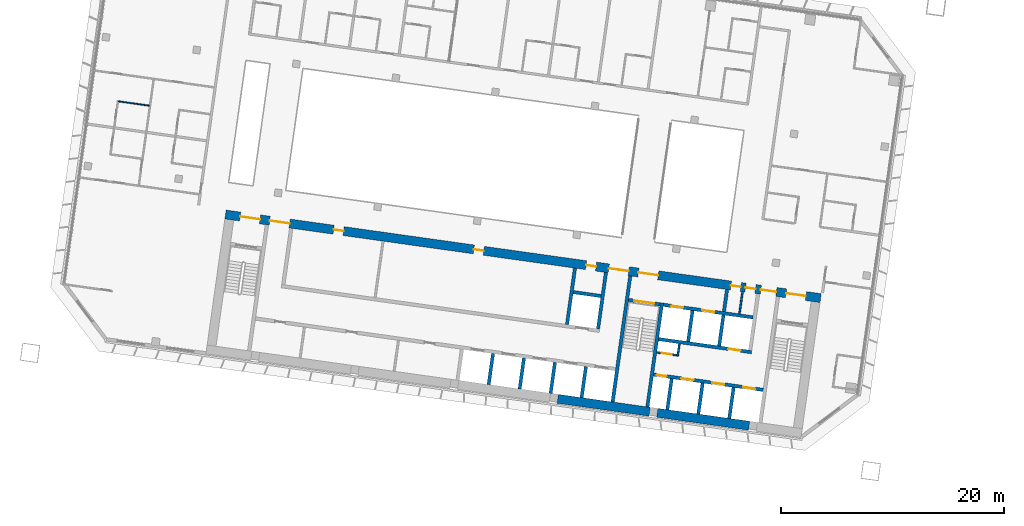
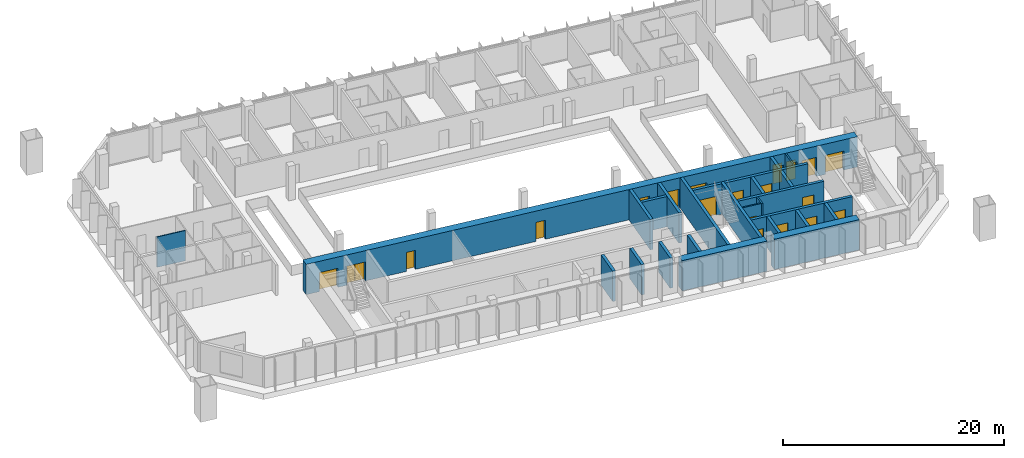
# One storey, part 15 of 26: 26 walls, 20 doors, 20 openings.
"""IFC4 building model written with IfcOpenShell, lengths in metres."""

from ifc_helpers import new_model, si_unit, direction, frame, frame_2d, origin, place, context, subcontext, project, spatial, rectangle, extrude, material, layer, layer_set, type_object, element, fill, save


model = new_model("IFC4")

# Units and contexts
model_context = context("Model", 3, precision=1e-05, world=origin(), true_north=direction((0.0, 1.0)))
body_context = subcontext(model_context, "Body", "Model", "MODEL_VIEW")
ifc_project = project(units=[si_unit("LENGTHUNIT", "METRE"), si_unit("AREAUNIT", "SQUARE_METRE"), si_unit("VOLUMEUNIT", "CUBIC_METRE"), si_unit("PLANEANGLEUNIT", "RADIAN"), si_unit("MASSUNIT", "GRAM", prefix="KILO")], contexts=[model_context])

# Site, building, storey
site_placement = place(None, origin())
site = spatial("IfcSite", under=ifc_project, at=site_placement, CompositionType="ELEMENT")
building_placement = place(site_placement, origin())
building = spatial("IfcBuilding", under=site, at=building_placement, Name="Mirante Cascada Hotel Towers", CompositionType="ELEMENT")
storey_placement = place(building_placement, frame((0.0, 0.0, 106.3)))
storey = spatial("IfcBuildingStorey", under=building, at=storey_placement, Name="L23", CompositionType="ELEMENT", Elevation=106.3)

# Wall
ifc_material_1 = material(Name="Masonry block", Category="masonry")
ifc_layer_1 = layer(ifc_material_1, 0.15)
ifc_layer_set_1 = layer_set([ifc_layer_1], Name="Core room partition 150 block EI 30")
wall_type_1 = type_object("IfcWallType", Name="Core room partition 150 block EI 30", PredefinedType="PARTITIONING", material=ifc_layer_set_1)
wall_1_placement = place(storey_placement, frame((-48.2295, -12.793, 0.0), z_axis=(0.0, 0.0, 1.0), x_axis=(0.1391935, 0.9902652, 0.0)))
element("IfcWall", 1, at=wall_1_placement, inside=storey, type_object=wall_type_1, Name="Core wall partition T1 L23 2", PredefinedType="PARTITIONING", context=body_context, shape_type="SweptSolid", body=[
    extrude(rectangle(XDim=1.1251, YDim=0.15, at=frame_2d((0.5626, 0.0))), origin(), (0.0, 0.0, 1.0), 3.35),
])

# Wall, opening, door
wall_2_placement = place(storey_placement, frame((-48.2933, -12.7083, 0.0), z_axis=(0.0, 0.0, 1.0), x_axis=(-0.990268, 0.1391734, 0.0)))
wall_2 = element("IfcWall", 2, at=wall_2_placement, inside=storey, type_object=wall_type_1, Name="Core wall partition T1 L23 3", PredefinedType="PARTITIONING", context=body_context, shape_type="SweptSolid", body=[
    extrude(rectangle(XDim=1.8251, YDim=0.15, at=frame_2d((0.9126, 0.0))), origin(), (0.0, 0.0, 1.0), 3.35),
])
opening_1_placement = place(wall_2_placement, frame((0.4625, 0.0, 0.0)))
opening_1 = element("IfcOpeningElement", 3, at=opening_1_placement, cuts=wall_2, Name="Opening D1-23-C23", PredefinedType="OPENING", context=body_context, shape_type="SweptSolid", body=[
    extrude(rectangle(XDim=0.9, YDim=2.1, at=frame_2d((0.45, 1.05))), frame((0.0, 0.075, 0.0), z_axis=(0.0, -1.0, 0.0), x_axis=(1.0, 0.0, 0.0)), (0.0, 0.0, 1.0), 0.15),
])
ifc_material_2 = material(Name="Hollow metal fire door leaf")
door_type_1 = type_object("IfcDoorType", Name="Fire door 900x2100 FD60", OperationType="NOTDEFINED", PredefinedType="DOOR", material=ifc_material_2)
door_1_placement = place(opening_1_placement, origin())
door_1 = element("IfcDoor", 4, at=door_1_placement, inside=storey, type_object=door_type_1, Name="Riser door T1 L23 23", OperationType="SINGLE_SWING_LEFT", OverallHeight=2.1, OverallWidth=0.9, PredefinedType="DOOR", context=body_context, shape_type="SweptSolid", body=[
    extrude(rectangle(XDim=0.9, YDim=2.1, at=frame_2d((0.45, 1.05))), frame((0.0, 0.025, 0.0), z_axis=(0.0, -1.0, 0.0), x_axis=(1.0, 0.0, 0.0)), (0.0, 0.0, 1.0), 0.05),
])
fill(opening_1, door_1)

# Walls
wall_3_placement = place(storey_placement, frame((-42.6979, -9.0009, 0.0), z_axis=(0.0, 0.0, 1.0), x_axis=(0.1391529, 0.9902709, 0.0)))
element("IfcWall", 5, at=wall_3_placement, inside=storey, type_object=wall_type_1, Name="Core wall partition T1 L23 4", PredefinedType="PARTITIONING", context=body_context, shape_type="SweptSolid", body=[
    extrude(rectangle(XDim=2.0, YDim=0.15, at=frame_2d((1.0, 0.0))), origin(), (0.0, 0.0, 1.0), 3.35),
])
ifc_material_3 = material(Name="Masonry block", Category="masonry")
ifc_layer_2 = layer(ifc_material_3, 0.3)
ifc_layer_set_2 = layer_set([ifc_layer_2], Name="Core wall 300 block EI 120")
wall_type_2 = type_object("IfcWallType", Name="Core wall 300 block EI 120", PredefinedType="PARTITIONING", material=ifc_layer_set_2)
wall_4_placement = place(storey_placement, frame((-44.0843, -8.8061, 0.0), z_axis=(0.0, 0.0, 1.0), x_axis=(0.1391951, 0.990265, 0.0)))
element("IfcWall", 6, at=wall_4_placement, inside=storey, type_object=wall_type_2, Name="Core wall partition T1 L23 1", PredefinedType="PARTITIONING", context=body_context, shape_type="SweptSolid", body=[
    extrude(rectangle(XDim=2.0001, YDim=0.3, at=frame_2d((1.0001, 0.0))), origin(), (0.0, 0.0, 1.0), 3.35),
])
ifc_material_4 = material(Name="Plasterboard on metal studs")
ifc_layer_3 = layer(ifc_material_4, 0.1)
ifc_layer_set_3 = layer_set([ifc_layer_3], Name="Partition 100")
wall_type_3 = type_object("IfcWallType", Name="Partition 100", PredefinedType="PARTITIONING", material=ifc_layer_set_3)
wall_5_placement = place(storey_placement, frame((-98.2916, 10.0213, 0.0), z_axis=(0.0, 0.0, 1.0), x_axis=(0.9902726, -0.139141, 0.0)))
element("IfcWall", 7, at=wall_5_placement, inside=storey, type_object=wall_type_3, Name="Wall 1-L23-15", PredefinedType="PARTITIONING", context=body_context, shape_type="SweptSolid", body=[
    extrude(rectangle(XDim=2.8, YDim=0.1, at=frame_2d((1.4, 0.0))), origin(), (0.0, 0.0, 1.0), 3.35),
])
ifc_material_5 = material(Name="Concrete C50/60", Category="concrete")
ifc_layer_4 = layer(ifc_material_5, 0.3)
ifc_layer_set_4 = layer_set([ifc_layer_4], Name="RC core wall 300 C50/60")
wall_type_4 = type_object("IfcWallType", Name="RC core wall 300 C50/60", PredefinedType="SHEAR", material=ifc_layer_set_4)
wall_6_placement = place(storey_placement, frame((-50.938, -17.3352, 0.0), z_axis=(0.0, 0.0, 1.0), x_axis=(0.1391706, 0.9902684, 0.0)))
element("IfcWall", 8, at=wall_6_placement, inside=storey, type_object=wall_type_4, Name="Core wall T1:L23:6", PredefinedType="SHEAR", context=body_context, shape_type="SweptSolid", body=[
    extrude(rectangle(XDim=9.4, YDim=0.3, at=frame_2d((4.7, 0.0))), origin(), (0.0, 0.0, 1.0), 3.35),
])
wall_7_placement = place(storey_placement, frame((-54.0574, -16.8968, 0.0), z_axis=(0.0, 0.0, 1.0), x_axis=(0.1391761, 0.9902677, 0.0)))
element("IfcWall", 9, at=wall_7_placement, inside=storey, type_object=wall_type_4, Name="Core wall T1:L23:7", PredefinedType="SHEAR", context=body_context, shape_type="SweptSolid", body=[
    extrude(rectangle(XDim=11.3999, YDim=0.3, at=frame_2d((5.7, 0.0))), origin(), (0.0, 0.0, 1.0), 3.35),
])

# Wall, opening, door
wall_8_placement = place(storey_placement, frame((-49.7992, -8.1544, 0.0), z_axis=(0.0, 0.0, 1.0), x_axis=(-0.9902656, 0.1391909, 0.0)))
wall_8 = element("IfcWall", 10, at=wall_8_placement, inside=storey, type_object=wall_type_4, Name="Core wall T1:L23:10", PredefinedType="SHEAR", context=body_context, shape_type="SweptSolid", body=[
    extrude(rectangle(XDim=2.85, YDim=0.3, at=frame_2d((1.425, 0.0))), origin(), (0.0, 0.0, 1.0), 3.35),
])
opening_2_placement = place(wall_8_placement, frame((0.525, 0.0, 0.0)))
opening_2 = element("IfcOpeningElement", 11, at=opening_2_placement, cuts=wall_8, Name="Opening D1-23-C15", PredefinedType="OPENING", context=body_context, shape_type="SweptSolid", body=[
    extrude(rectangle(XDim=1.8, YDim=2.1, at=frame_2d((0.9, 1.05))), frame((0.0, 0.15, 0.0), z_axis=(0.0, -1.0, 0.0), x_axis=(1.0, 0.0, 0.0)), (0.0, 0.0, 1.0), 0.3),
])
ifc_material_6 = material(Name="Hollow metal fire door leaf")
door_type_2 = type_object("IfcDoorType", Name="Double fire door 1800x2100 FD60", OperationType="DOUBLE_DOOR_SINGLE_SWING", PredefinedType="DOOR", material=ifc_material_6)
door_2_placement = place(opening_2_placement, origin())
door_2 = element("IfcDoor", 12, at=door_2_placement, inside=storey, type_object=door_type_2, Name="Stair door T1 L23 15", OperationType="DOUBLE_DOOR_SINGLE_SWING", OverallHeight=2.1, OverallWidth=1.8, PredefinedType="DOOR", context=body_context, shape_type="SweptSolid", body=[
    extrude(rectangle(XDim=0.895, YDim=2.1, at=frame_2d((0.4475, 1.05))), frame((0.0, 0.025, 0.0), z_axis=(0.0, -1.0, 0.0), x_axis=(1.0, 0.0, 0.0)), (0.0, 0.0, 1.0), 0.05),
    extrude(rectangle(XDim=0.895, YDim=2.1, at=frame_2d((1.3525, 1.05))), frame((0.0, 0.025, 0.0), z_axis=(0.0, -1.0, 0.0), x_axis=(1.0, 0.0, 0.0)), (0.0, 0.0, 1.0), 0.05),
])
fill(opening_2, door_2)

# Wall, openings, doors
wall_9_placement = place(storey_placement, frame((-40.5753, -15.8126, 0.0), z_axis=(0.0, 0.0, 1.0), x_axis=(-0.9902682, 0.1391725, 0.0)))
wall_9 = element("IfcWall", 13, at=wall_9_placement, inside=storey, type_object=wall_type_4, Name="Core wall T1:L23:12", PredefinedType="SHEAR", context=body_context, shape_type="SweptSolid", body=[
    extrude(rectangle(XDim=9.8999, YDim=0.3, at=frame_2d((4.95, 0.0))), origin(), (0.0, 0.0, 1.0), 3.35),
])
opening_3_placement = place(wall_9_placement, frame((0.7, 0.0, 0.0)))
opening_3 = element("IfcOpeningElement", 14, at=opening_3_placement, cuts=wall_9, Name="Opening LD", PredefinedType="OPENING", context=body_context, shape_type="SweptSolid", body=[
    extrude(rectangle(XDim=1.1, YDim=2.1, at=frame_2d((0.55, 1.05))), frame((0.0, 0.15, 0.0), z_axis=(0.0, -1.0, 0.0), x_axis=(1.0, 0.0, 0.0)), (0.0, 0.0, 1.0), 0.3),
])
opening_4_placement = place(wall_9_placement, frame((3.5, 0.0, 0.0)))
opening_4 = element("IfcOpeningElement", 15, at=opening_4_placement, cuts=wall_9, Name="Opening LD", PredefinedType="OPENING", context=body_context, shape_type="SweptSolid", body=[
    extrude(rectangle(XDim=1.1, YDim=2.1, at=frame_2d((0.55, 1.05))), frame((0.0, 0.15, 0.0), z_axis=(0.0, -1.0, 0.0), x_axis=(1.0, 0.0, 0.0)), (0.0, 0.0, 1.0), 0.3),
])
opening_5_placement = place(wall_9_placement, frame((6.3, 0.0, 0.0)))
opening_5 = element("IfcOpeningElement", 16, at=opening_5_placement, cuts=wall_9, Name="Opening LD", PredefinedType="OPENING", context=body_context, shape_type="SweptSolid", body=[
    extrude(rectangle(XDim=1.1, YDim=2.1, at=frame_2d((0.55, 1.05))), frame((0.0, 0.15, 0.0), z_axis=(0.0, -1.0, 0.0), x_axis=(1.0, 0.0, 0.0)), (0.0, 0.0, 1.0), 0.3),
])
opening_6_placement = place(wall_9_placement, frame((8.7, 0.0, 0.0)))
opening_6 = element("IfcOpeningElement", 17, at=opening_6_placement, cuts=wall_9, Name="Opening D1-23-C22", PredefinedType="OPENING", context=body_context, shape_type="SweptSolid", body=[
    extrude(rectangle(XDim=0.9, YDim=2.1, at=frame_2d((0.45, 1.05))), frame((0.0, 0.15, 0.0), z_axis=(0.0, -1.0, 0.0), x_axis=(1.0, 0.0, 0.0)), (0.0, 0.0, 1.0), 0.3),
])
door_3_placement = place(opening_6_placement, origin())
door_3 = element("IfcDoor", 18, at=door_3_placement, inside=storey, type_object=door_type_1, Name="Riser door T1 L23 22", OperationType="SINGLE_SWING_LEFT", OverallHeight=2.1, OverallWidth=0.9, PredefinedType="DOOR", context=body_context, shape_type="SweptSolid", body=[
    extrude(rectangle(XDim=0.9, YDim=2.1, at=frame_2d((0.45, 1.05))), frame((0.0, 0.025, 0.0), z_axis=(0.0, -1.0, 0.0), x_axis=(1.0, 0.0, 0.0)), (0.0, 0.0, 1.0), 0.05),
])
fill(opening_6, door_3)
ifc_material_7 = material(Name="Stainless steel", Category="steel")
door_type_3 = type_object("IfcDoorType", Name="Lift landing door 1100x2100 EI 120", OperationType="DOUBLE_DOOR_SLIDING", PredefinedType="DOOR", material=ifc_material_7)
door_4_placement = place(opening_3_placement, origin())
door_4 = element("IfcDoor", 19, at=door_4_placement, inside=storey, type_object=door_type_3, Name="Lift landing door HR1-1 L23", OperationType="DOUBLE_DOOR_SLIDING", OverallHeight=2.1, OverallWidth=1.1, PredefinedType="DOOR", context=body_context, shape_type="SweptSolid", body=[
    extrude(rectangle(XDim=0.545, YDim=2.1, at=frame_2d((0.2725, 1.05))), frame((0.0, 0.025, 0.0), z_axis=(0.0, -1.0, 0.0), x_axis=(1.0, 0.0, 0.0)), (0.0, 0.0, 1.0), 0.05),
    extrude(rectangle(XDim=0.545, YDim=2.1, at=frame_2d((0.8275, 1.05))), frame((0.0, 0.025, 0.0), z_axis=(0.0, -1.0, 0.0), x_axis=(1.0, 0.0, 0.0)), (0.0, 0.0, 1.0), 0.05),
])
fill(opening_3, door_4)
door_5_placement = place(opening_4_placement, origin())
door_5 = element("IfcDoor", 20, at=door_5_placement, inside=storey, type_object=door_type_3, Name="Lift landing door HR1-2 L23", OperationType="DOUBLE_DOOR_SLIDING", OverallHeight=2.1, OverallWidth=1.1, PredefinedType="DOOR", context=body_context, shape_type="SweptSolid", body=[
    extrude(rectangle(XDim=0.545, YDim=2.1, at=frame_2d((0.2725, 1.05))), frame((0.0, 0.025, 0.0), z_axis=(0.0, -1.0, 0.0), x_axis=(1.0, 0.0, 0.0)), (0.0, 0.0, 1.0), 0.05),
    extrude(rectangle(XDim=0.545, YDim=2.1, at=frame_2d((0.8275, 1.05))), frame((0.0, 0.025, 0.0), z_axis=(0.0, -1.0, 0.0), x_axis=(1.0, 0.0, 0.0)), (0.0, 0.0, 1.0), 0.05),
])
fill(opening_4, door_5)
door_6_placement = place(opening_5_placement, origin())
door_6 = element("IfcDoor", 21, at=door_6_placement, inside=storey, type_object=door_type_3, Name="Lift landing door HR1-3 L23", OperationType="DOUBLE_DOOR_SLIDING", OverallHeight=2.1, OverallWidth=1.1, PredefinedType="DOOR", context=body_context, shape_type="SweptSolid", body=[
    extrude(rectangle(XDim=0.545, YDim=2.1, at=frame_2d((0.2725, 1.05))), frame((0.0, 0.025, 0.0), z_axis=(0.0, -1.0, 0.0), x_axis=(1.0, 0.0, 0.0)), (0.0, 0.0, 1.0), 0.05),
    extrude(rectangle(XDim=0.545, YDim=2.1, at=frame_2d((0.8275, 1.05))), frame((0.0, 0.025, 0.0), z_axis=(0.0, -1.0, 0.0), x_axis=(1.0, 0.0, 0.0)), (0.0, 0.0, 1.0), 0.05),
])
fill(opening_5, door_6)

# Wall, opening, door
wall_10_placement = place(storey_placement, frame((-41.6153, -12.435, 0.0), z_axis=(0.0, 0.0, 1.0), x_axis=(-0.9902691, 0.139166, 0.0)))
wall_10 = element("IfcWall", 22, at=wall_10_placement, inside=storey, type_object=wall_type_4, Name="Core wall T1:L23:13", PredefinedType="SHEAR", context=body_context, shape_type="SweptSolid", body=[
    extrude(rectangle(XDim=8.4, YDim=0.3, at=frame_2d((4.2, 0.0))), origin(), (0.0, 0.0, 1.0), 3.35),
])
opening_7_placement = place(wall_10_placement, frame((1.0, 0.0, 0.0)))
opening_7 = element("IfcOpeningElement", 23, at=opening_7_placement, cuts=wall_10, Name="Opening LD", PredefinedType="OPENING", context=body_context, shape_type="SweptSolid", body=[
    extrude(rectangle(XDim=1.1, YDim=2.1, at=frame_2d((0.55, 1.05))), frame((0.0, 0.15, 0.0), z_axis=(0.0, -1.0, 0.0), x_axis=(1.0, 0.0, 0.0)), (0.0, 0.0, 1.0), 0.3),
])
door_7_placement = place(opening_7_placement, origin())
door_7 = element("IfcDoor", 24, at=door_7_placement, inside=storey, type_object=door_type_3, Name="Lift landing door HR1-4 L23", OperationType="DOUBLE_DOOR_SLIDING", OverallHeight=2.1, OverallWidth=1.1, PredefinedType="DOOR", context=body_context, shape_type="SweptSolid", body=[
    extrude(rectangle(XDim=0.545, YDim=2.1, at=frame_2d((0.2725, 1.05))), frame((0.0, 0.025, 0.0), z_axis=(0.0, -1.0, 0.0), x_axis=(1.0, 0.0, 0.0)), (0.0, 0.0, 1.0), 0.05),
    extrude(rectangle(XDim=0.545, YDim=2.1, at=frame_2d((0.8275, 1.05))), frame((0.0, 0.025, 0.0), z_axis=(0.0, -1.0, 0.0), x_axis=(1.0, 0.0, 0.0)), (0.0, 0.0, 1.0), 0.05),
])
fill(opening_7, door_7)

# Wall, openings, doors
wall_11_placement = place(storey_placement, frame((-41.481, -9.3234, 0.0), z_axis=(0.0, 0.0, 1.0), x_axis=(-0.9902679, 0.1391741, 0.0)))
wall_11 = element("IfcWall", 25, at=wall_11_placement, inside=storey, type_object=wall_type_4, Name="Core wall T1:L23:14", PredefinedType="SHEAR", context=body_context, shape_type="SweptSolid", body=[
    extrude(rectangle(XDim=8.0999, YDim=0.3, at=frame_2d((4.05, 0.0))), origin(), (0.0, 0.0, 1.0), 3.35),
])
opening_8_placement = place(wall_11_placement, frame((3.5, 0.0, 0.0)))
opening_8 = element("IfcOpeningElement", 26, at=opening_8_placement, cuts=wall_11, Name="Opening LD", PredefinedType="OPENING", context=body_context, shape_type="SweptSolid", body=[
    extrude(rectangle(XDim=1.1, YDim=2.1, at=frame_2d((0.55, 1.05))), frame((0.0, 0.15, 0.0), z_axis=(0.0, -1.0, 0.0), x_axis=(1.0, 0.0, 0.0)), (0.0, 0.0, 1.0), 0.3),
])
opening_9_placement = place(wall_11_placement, frame((6.3, 0.0, 0.0)))
opening_9 = element("IfcOpeningElement", 27, at=opening_9_placement, cuts=wall_11, Name="Opening LD", PredefinedType="OPENING", context=body_context, shape_type="SweptSolid", body=[
    extrude(rectangle(XDim=1.1, YDim=2.1, at=frame_2d((0.55, 1.05))), frame((0.0, 0.15, 0.0), z_axis=(0.0, -1.0, 0.0), x_axis=(1.0, 0.0, 0.0)), (0.0, 0.0, 1.0), 0.3),
])
door_8_placement = place(opening_8_placement, origin())
door_8 = element("IfcDoor", 28, at=door_8_placement, inside=storey, type_object=door_type_3, Name="Lift landing door FF1 L23", OperationType="DOUBLE_DOOR_SLIDING", OverallHeight=2.1, OverallWidth=1.1, PredefinedType="DOOR", context=body_context, shape_type="SweptSolid", body=[
    extrude(rectangle(XDim=0.545, YDim=2.1, at=frame_2d((0.2725, 1.05))), frame((0.0, 0.025, 0.0), z_axis=(0.0, -1.0, 0.0), x_axis=(1.0, 0.0, 0.0)), (0.0, 0.0, 1.0), 0.05),
    extrude(rectangle(XDim=0.545, YDim=2.1, at=frame_2d((0.8275, 1.05))), frame((0.0, 0.025, 0.0), z_axis=(0.0, -1.0, 0.0), x_axis=(1.0, 0.0, 0.0)), (0.0, 0.0, 1.0), 0.05),
])
fill(opening_8, door_8)
door_9_placement = place(opening_9_placement, origin())
door_9 = element("IfcDoor", 29, at=door_9_placement, inside=storey, type_object=door_type_3, Name="Lift landing door FF2 L23", OperationType="DOUBLE_DOOR_SLIDING", OverallHeight=2.1, OverallWidth=1.1, PredefinedType="DOOR", context=body_context, shape_type="SweptSolid", body=[
    extrude(rectangle(XDim=0.545, YDim=2.1, at=frame_2d((0.2725, 1.05))), frame((0.0, 0.025, 0.0), z_axis=(0.0, -1.0, 0.0), x_axis=(1.0, 0.0, 0.0)), (0.0, 0.0, 1.0), 0.05),
    extrude(rectangle(XDim=0.545, YDim=2.1, at=frame_2d((0.8275, 1.05))), frame((0.0, 0.025, 0.0), z_axis=(0.0, -1.0, 0.0), x_axis=(1.0, 0.0, 0.0)), (0.0, 0.0, 1.0), 0.05),
])
fill(opening_9, door_9)

# Walls
wall_12_placement = place(storey_placement, frame((-43.61, -18.3651, 0.0), z_axis=(0.0, 0.0, 1.0), x_axis=(0.1391459, 0.9902719, 0.0)))
element("IfcWall", 30, at=wall_12_placement, inside=storey, type_object=wall_type_4, Name="Core wall T1:L23:15", PredefinedType="SHEAR", context=body_context, shape_type="SweptSolid", body=[
    extrude(rectangle(XDim=2.7999, YDim=0.3, at=frame_2d((1.4, 0.0))), origin(), (0.0, 0.0, 1.0), 3.35),
])
wall_13_placement = place(storey_placement, frame((-46.3828, -17.9754, 0.0), z_axis=(0.0, 0.0, 1.0), x_axis=(0.139181, 0.990267, 0.0)))
element("IfcWall", 31, at=wall_13_placement, inside=storey, type_object=wall_type_4, Name="Core wall T1:L23:16", PredefinedType="SHEAR", context=body_context, shape_type="SweptSolid", body=[
    extrude(rectangle(XDim=2.8, YDim=0.3, at=frame_2d((1.4, 0.0))), origin(), (0.0, 0.0, 1.0), 3.35),
])
wall_14_placement = place(storey_placement, frame((-49.1555, -17.5857, 0.0), z_axis=(0.0, 0.0, 1.0), x_axis=(0.1391459, 0.9902719, 0.0)))
element("IfcWall", 32, at=wall_14_placement, inside=storey, type_object=wall_type_4, Name="Core wall T1:L23:17", PredefinedType="SHEAR", context=body_context, shape_type="SweptSolid", body=[
    extrude(rectangle(XDim=2.7999, YDim=0.3, at=frame_2d((1.4, 0.0))), origin(), (0.0, 0.0, 1.0), 3.35),
])
for number, where, z_axis, x_axis, name in (
    (33, (-44.5157, -11.8759, 0.0), (0.0, 0.0, 1.0), (0.139181, 0.990267, 0.0), "Core wall T1:L23:18"),
    (34, (-47.2885, -11.4862, 0.0), (0.0, 0.0, 1.0), (0.139181, 0.990267, 0.0), "Core wall T1:L23:19"),
):
    element("IfcWall", number, at=place(storey_placement, frame(where, z_axis=z_axis, x_axis=x_axis)), inside=storey, type_object=wall_type_4, Name=name, PredefinedType="SHEAR", context=body_context, shape_type="SweptSolid", body=[
        extrude(rectangle(XDim=2.8, YDim=0.3, at=frame_2d((1.4, 0.0))), origin(), (0.0, 0.0, 1.0), 3.35),
    ])
for number, where, z_axis, x_axis, name in (
    (35, (-56.8301, -16.5072, 0.0), (0.0, 0.0, 1.0), (0.139176, 0.9902677, 0.0), "Core wall T1:L23:26"),
    (36, (-59.6029, -16.1175, 0.0), (0.0, 0.0, 1.0), (0.139176, 0.9902677, 0.0), "Core wall T1:L23:27"),
    (37, (-62.3756, -15.7278, 0.0), (0.0, 0.0, 1.0), (0.139176, 0.9902677, 0.0), "Core wall T1:L23:28"),
    (38, (-65.1484, -15.3381, 0.0), (0.0, 0.0, 1.0), (0.139176, 0.9902677, 0.0), "Core wall T1:L23:29"),
):
    element("IfcWall", number, at=place(storey_placement, frame(where, z_axis=z_axis, x_axis=x_axis)), inside=storey, type_object=wall_type_4, Name=name, PredefinedType="SHEAR", context=body_context, shape_type="SweptSolid", body=[
        extrude(rectangle(XDim=2.8001, YDim=0.3, at=frame_2d((1.4, 0.0))), origin(), (0.0, 0.0, 1.0), 3.35),
    ])
for number, where, z_axis, x_axis, name in (
    (39, (-55.3592, -10.352, 0.0), (0.0, 0.0, 1.0), (0.1391755, 0.9902677, 0.0), "Core wall T1:L23:34"),
    (40, (-58.1319, -9.9623, 0.0), (0.0, 0.0, 1.0), (0.1391755, 0.9902677, 0.0), "Core wall T1:L23:36"),
):
    element("IfcWall", number, at=place(storey_placement, frame(where, z_axis=z_axis, x_axis=x_axis)), inside=storey, type_object=wall_type_4, Name=name, PredefinedType="SHEAR", context=body_context, shape_type="SweptSolid", body=[
        extrude(rectangle(XDim=5.1, YDim=0.3, at=frame_2d((2.55, 0.0))), origin(), (0.0, 0.0, 1.0), 3.35),
    ])
wall_15_placement = place(storey_placement, frame((-55.0971, -7.4098, 0.0), z_axis=(0.0, 0.0, 1.0), x_axis=(-0.9902701, 0.1391586, 0.0)))
element("IfcWall", 41, at=wall_15_placement, inside=storey, type_object=wall_type_4, Name="Core wall T1:L23:37", PredefinedType="SHEAR", context=body_context, shape_type="SweptSolid", body=[
    extrude(rectangle(XDim=2.5, YDim=0.3, at=frame_2d((1.25, 0.0))), origin(), (0.0, 0.0, 1.0), 3.35),
])
ifc_material_8 = material(Name="Concrete C50/60", Category="concrete")
ifc_layer_5 = layer(ifc_material_8, 0.8)
ifc_layer_set_5 = layer_set([ifc_layer_5], Name="RC core wall 800 C50/60")
wall_type_5 = type_object("IfcWallType", Name="RC core wall 800 C50/60", PredefinedType="SHEAR", material=ifc_layer_set_5)
for number, where, z_axis, x_axis, name in (
    (42, (-41.8337, -19.0187, 0.0), (0.0, 0.0, 1.0), (-0.9902686, 0.1391692, 0.0), "Core wall T1:L23:1.2"),
    (43, (-50.7461, -17.7661, 0.0), (0.0, 0.0, 1.0), (-0.9902686, 0.1391692, 0.0), "Core wall T1:L23:1.3"),
):
    element("IfcWall", number, at=place(storey_placement, frame(where, z_axis=z_axis, x_axis=x_axis)), inside=storey, type_object=wall_type_5, Name=name, PredefinedType="SHEAR", context=body_context, shape_type="SweptSolid", body=[
        extrude(rectangle(XDim=8.3, YDim=0.8, at=frame_2d((4.15, 0.0))), origin(), (0.0, 0.0, 1.0), 3.35),
    ])

# Wall, openings, doors
wall_16_placement = place(storey_placement, frame((-35.432, -7.5985, 0.0), z_axis=(0.0, 0.0, 1.0), x_axis=(-0.9902681, 0.1391729, 0.0)))
wall_16 = element("IfcWall", 44, at=wall_16_placement, inside=storey, type_object=wall_type_5, Name="Core wall T1:L23:2", PredefinedType="SHEAR", context=body_context, shape_type="SweptSolid", body=[
    extrude(rectangle(XDim=53.8, YDim=0.8, at=frame_2d((26.9, 0.0))), origin(), (0.0, 0.0, 1.0), 3.35),
])
opening_10_placement = place(wall_16_placement, frame((1.325, 0.0, 0.0)))
opening_10 = element("IfcOpeningElement", 45, at=opening_10_placement, cuts=wall_16, Name="Opening D1-23-C14", PredefinedType="OPENING", context=body_context, shape_type="SweptSolid", body=[
    extrude(rectangle(XDim=1.8, YDim=2.1, at=frame_2d((0.9, 1.05))), frame((0.0, 0.4, 0.0), z_axis=(0.0, -1.0, 0.0), x_axis=(1.0, 0.0, 0.0)), (0.0, 0.0, 1.0), 0.8),
])
opening_11_placement = place(wall_16_placement, frame((14.675, 0.0, 0.0)))
opening_11 = element("IfcOpeningElement", 46, at=opening_11_placement, cuts=wall_16, Name="Opening D1-23-C16", PredefinedType="OPENING", context=body_context, shape_type="SweptSolid", body=[
    extrude(rectangle(XDim=1.8, YDim=2.1, at=frame_2d((0.9, 1.05))), frame((0.0, 0.4, 0.0), z_axis=(0.0, -1.0, 0.0), x_axis=(1.0, 0.0, 0.0)), (0.0, 0.0, 1.0), 0.8),
])
opening_12_placement = place(wall_16_placement, frame((50.675, 0.0, 0.0)))
opening_12 = element("IfcOpeningElement", 47, at=opening_12_placement, cuts=wall_16, Name="Opening D1-23-C18", PredefinedType="OPENING", context=body_context, shape_type="SweptSolid", body=[
    extrude(rectangle(XDim=1.8, YDim=2.1, at=frame_2d((0.9, 1.05))), frame((0.0, 0.4, 0.0), z_axis=(0.0, -1.0, 0.0), x_axis=(1.0, 0.0, 0.0)), (0.0, 0.0, 1.0), 0.8),
])
opening_13_placement = place(wall_16_placement, frame((4.0, 0.0, 0.0)))
opening_13 = element("IfcOpeningElement", 48, at=opening_13_placement, cuts=wall_16, Name="Opening D1-23-C19", PredefinedType="OPENING", context=body_context, shape_type="SweptSolid", body=[
    extrude(rectangle(XDim=1.4, YDim=2.1, at=frame_2d((0.7, 1.05))), frame((0.0, 0.4, 0.0), z_axis=(0.0, -1.0, 0.0), x_axis=(1.0, 0.0, 0.0)), (0.0, 0.0, 1.0), 0.8),
])
opening_14_placement = place(wall_16_placement, frame((17.35, 0.0, 0.0)))
opening_14 = element("IfcOpeningElement", 49, at=opening_14_placement, cuts=wall_16, Name="Opening D1-23-C20", PredefinedType="OPENING", context=body_context, shape_type="SweptSolid", body=[
    extrude(rectangle(XDim=1.8, YDim=2.1, at=frame_2d((0.9, 1.05))), frame((0.0, 0.4, 0.0), z_axis=(0.0, -1.0, 0.0), x_axis=(1.0, 0.0, 0.0)), (0.0, 0.0, 1.0), 0.8),
])
opening_15_placement = place(wall_16_placement, frame((48.0, 0.0, 0.0)))
opening_15 = element("IfcOpeningElement", 50, at=opening_15_placement, cuts=wall_16, Name="Opening D1-23-C21", PredefinedType="OPENING", context=body_context, shape_type="SweptSolid", body=[
    extrude(rectangle(XDim=1.8, YDim=2.1, at=frame_2d((0.9, 1.05))), frame((0.0, 0.4, 0.0), z_axis=(0.0, -1.0, 0.0), x_axis=(1.0, 0.0, 0.0)), (0.0, 0.0, 1.0), 0.8),
])
opening_16_placement = place(wall_16_placement, frame((5.8875, 0.0, 0.0)))
opening_16 = element("IfcOpeningElement", 51, at=opening_16_placement, cuts=wall_16, Name="Opening D1-23-C24", PredefinedType="OPENING", context=body_context, shape_type="SweptSolid", body=[
    extrude(rectangle(XDim=0.9, YDim=2.1, at=frame_2d((0.45, 1.05))), frame((0.0, 0.4, 0.0), z_axis=(0.0, -1.0, 0.0), x_axis=(1.0, 0.0, 0.0)), (0.0, 0.0, 1.0), 0.8),
])
opening_17_placement = place(wall_16_placement, frame((7.2125, 0.0, 0.0)))
opening_17 = element("IfcOpeningElement", 52, at=opening_17_placement, cuts=wall_16, Name="Opening D1-23-C25", PredefinedType="OPENING", context=body_context, shape_type="SweptSolid", body=[
    extrude(rectangle(XDim=0.9, YDim=2.1, at=frame_2d((0.45, 1.05))), frame((0.0, 0.4, 0.0), z_axis=(0.0, -1.0, 0.0), x_axis=(1.0, 0.0, 0.0)), (0.0, 0.0, 1.0), 0.8),
])
opening_18_placement = place(wall_16_placement, frame((20.3, 0.0, 0.0)))
opening_18 = element("IfcOpeningElement", 53, at=opening_18_placement, cuts=wall_16, Name="Opening D1-23-C29", PredefinedType="OPENING", context=body_context, shape_type="SweptSolid", body=[
    extrude(rectangle(XDim=0.9, YDim=2.1, at=frame_2d((0.45, 1.05))), frame((0.0, 0.4, 0.0), z_axis=(0.0, -1.0, 0.0), x_axis=(1.0, 0.0, 0.0)), (0.0, 0.0, 1.0), 0.8),
])
opening_19_placement = place(wall_16_placement, frame((30.45, 0.0, 0.0)))
opening_19 = element("IfcOpeningElement", 54, at=opening_19_placement, cuts=wall_16, Name="Opening D1-23-C30", PredefinedType="OPENING", context=body_context, shape_type="SweptSolid", body=[
    extrude(rectangle(XDim=0.9, YDim=2.1, at=frame_2d((0.45, 1.05))), frame((0.0, 0.4, 0.0), z_axis=(0.0, -1.0, 0.0), x_axis=(1.0, 0.0, 0.0)), (0.0, 0.0, 1.0), 0.8),
])
opening_20_placement = place(wall_16_placement, frame((43.125, 0.0, 0.0)))
opening_20 = element("IfcOpeningElement", 55, at=opening_20_placement, cuts=wall_16, Name="Opening D1-23-C31", PredefinedType="OPENING", context=body_context, shape_type="SweptSolid", body=[
    extrude(rectangle(XDim=0.9, YDim=2.1, at=frame_2d((0.45, 1.05))), frame((0.0, 0.4, 0.0), z_axis=(0.0, -1.0, 0.0), x_axis=(1.0, 0.0, 0.0)), (0.0, 0.0, 1.0), 0.8),
])
ifc_material_9 = material(Name="Hollow metal fire door leaf")
door_type_4 = type_object("IfcDoorType", Name="Double fire door 1400x2100 FD60", OperationType="DOUBLE_DOOR_SINGLE_SWING", PredefinedType="DOOR", material=ifc_material_9)
door_10_placement = place(opening_13_placement, frame((1.4, 0.0, 0.0), z_axis=(0.0, 0.0, 1.0), x_axis=(-1.0, 0.0, 0.0)))
door_10 = element("IfcDoor", 56, at=door_10_placement, inside=storey, type_object=door_type_4, Name="Exit door to gallery T1 L23 19", OperationType="DOUBLE_DOOR_SINGLE_SWING", OverallHeight=2.1, OverallWidth=1.4, PredefinedType="DOOR", context=body_context, shape_type="SweptSolid", body=[
    extrude(rectangle(XDim=0.695, YDim=2.1, at=frame_2d((0.3475, 1.05))), frame((0.0, 0.025, 0.0), z_axis=(0.0, -1.0, 0.0), x_axis=(1.0, 0.0, 0.0)), (0.0, 0.0, 1.0), 0.05),
    extrude(rectangle(XDim=0.695, YDim=2.1, at=frame_2d((1.0525, 1.05))), frame((0.0, 0.025, 0.0), z_axis=(0.0, -1.0, 0.0), x_axis=(1.0, 0.0, 0.0)), (0.0, 0.0, 1.0), 0.05),
])
fill(opening_13, door_10)
door_11_placement = place(opening_10_placement, origin())
door_11 = element("IfcDoor", 57, at=door_11_placement, inside=storey, type_object=door_type_2, Name="Exit door to gallery T1 L23 14", OperationType="DOUBLE_DOOR_SINGLE_SWING", OverallHeight=2.1, OverallWidth=1.8, PredefinedType="DOOR", context=body_context, shape_type="SweptSolid", body=[
    extrude(rectangle(XDim=0.895, YDim=2.1, at=frame_2d((0.4475, 1.05))), frame((0.0, 0.025, 0.0), z_axis=(0.0, -1.0, 0.0), x_axis=(1.0, 0.0, 0.0)), (0.0, 0.0, 1.0), 0.05),
    extrude(rectangle(XDim=0.895, YDim=2.1, at=frame_2d((1.3525, 1.05))), frame((0.0, 0.025, 0.0), z_axis=(0.0, -1.0, 0.0), x_axis=(1.0, 0.0, 0.0)), (0.0, 0.0, 1.0), 0.05),
])
fill(opening_10, door_11)
door_12_placement = place(opening_11_placement, origin())
door_12 = element("IfcDoor", 58, at=door_12_placement, inside=storey, type_object=door_type_2, Name="Exit door to gallery T1 L23 16", OperationType="DOUBLE_DOOR_SINGLE_SWING", OverallHeight=2.1, OverallWidth=1.8, PredefinedType="DOOR", context=body_context, shape_type="SweptSolid", body=[
    extrude(rectangle(XDim=0.895, YDim=2.1, at=frame_2d((0.4475, 1.05))), frame((0.0, 0.025, 0.0), z_axis=(0.0, -1.0, 0.0), x_axis=(1.0, 0.0, 0.0)), (0.0, 0.0, 1.0), 0.05),
    extrude(rectangle(XDim=0.895, YDim=2.1, at=frame_2d((1.3525, 1.05))), frame((0.0, 0.025, 0.0), z_axis=(0.0, -1.0, 0.0), x_axis=(1.0, 0.0, 0.0)), (0.0, 0.0, 1.0), 0.05),
])
fill(opening_11, door_12)
door_13_placement = place(opening_12_placement, origin())
door_13 = element("IfcDoor", 59, at=door_13_placement, inside=storey, type_object=door_type_2, Name="Exit door to gallery T1 L23 18", OperationType="DOUBLE_DOOR_SINGLE_SWING", OverallHeight=2.1, OverallWidth=1.8, PredefinedType="DOOR", context=body_context, shape_type="SweptSolid", body=[
    extrude(rectangle(XDim=0.895, YDim=2.1, at=frame_2d((0.4475, 1.05))), frame((0.0, 0.025, 0.0), z_axis=(0.0, -1.0, 0.0), x_axis=(1.0, 0.0, 0.0)), (0.0, 0.0, 1.0), 0.05),
    extrude(rectangle(XDim=0.895, YDim=2.1, at=frame_2d((1.3525, 1.05))), frame((0.0, 0.025, 0.0), z_axis=(0.0, -1.0, 0.0), x_axis=(1.0, 0.0, 0.0)), (0.0, 0.0, 1.0), 0.05),
])
fill(opening_12, door_13)
door_14_placement = place(opening_14_placement, frame((1.8, 0.0, 0.0), z_axis=(0.0, 0.0, 1.0), x_axis=(-1.0, 0.0, 0.0)))
door_14 = element("IfcDoor", 60, at=door_14_placement, inside=storey, type_object=door_type_2, Name="Exit door to gallery T1 L23 20", OperationType="DOUBLE_DOOR_SINGLE_SWING", OverallHeight=2.1, OverallWidth=1.8, PredefinedType="DOOR", context=body_context, shape_type="SweptSolid", body=[
    extrude(rectangle(XDim=0.895, YDim=2.1, at=frame_2d((0.4475, 1.05))), frame((0.0, 0.025, 0.0), z_axis=(0.0, -1.0, 0.0), x_axis=(1.0, 0.0, 0.0)), (0.0, 0.0, 1.0), 0.05),
    extrude(rectangle(XDim=0.895, YDim=2.1, at=frame_2d((1.3525, 1.05))), frame((0.0, 0.025, 0.0), z_axis=(0.0, -1.0, 0.0), x_axis=(1.0, 0.0, 0.0)), (0.0, 0.0, 1.0), 0.05),
])
fill(opening_14, door_14)
door_15_placement = place(opening_15_placement, frame((1.8, 0.0, 0.0), z_axis=(0.0, 0.0, 1.0), x_axis=(-1.0, 0.0, 0.0)))
door_15 = element("IfcDoor", 61, at=door_15_placement, inside=storey, type_object=door_type_2, Name="Exit door to gallery T1 L23 21", OperationType="DOUBLE_DOOR_SINGLE_SWING", OverallHeight=2.1, OverallWidth=1.8, PredefinedType="DOOR", context=body_context, shape_type="SweptSolid", body=[
    extrude(rectangle(XDim=0.895, YDim=2.1, at=frame_2d((0.4475, 1.05))), frame((0.0, 0.025, 0.0), z_axis=(0.0, -1.0, 0.0), x_axis=(1.0, 0.0, 0.0)), (0.0, 0.0, 1.0), 0.05),
    extrude(rectangle(XDim=0.895, YDim=2.1, at=frame_2d((1.3525, 1.05))), frame((0.0, 0.025, 0.0), z_axis=(0.0, -1.0, 0.0), x_axis=(1.0, 0.0, 0.0)), (0.0, 0.0, 1.0), 0.05),
])
fill(opening_15, door_15)
door_16_placement = place(opening_16_placement, origin())
door_16 = element("IfcDoor", 62, at=door_16_placement, inside=storey, type_object=door_type_1, Name="Room door T1 L23 24", OperationType="SINGLE_SWING_RIGHT", OverallHeight=2.1, OverallWidth=0.9, PredefinedType="DOOR", context=body_context, shape_type="SweptSolid", body=[
    extrude(rectangle(XDim=0.9, YDim=2.1, at=frame_2d((0.45, 1.05))), frame((0.0, 0.025, 0.0), z_axis=(0.0, -1.0, 0.0), x_axis=(1.0, 0.0, 0.0)), (0.0, 0.0, 1.0), 0.05),
])
fill(opening_16, door_16)
door_17_placement = place(opening_17_placement, origin())
door_17 = element("IfcDoor", 63, at=door_17_placement, inside=storey, type_object=door_type_1, Name="Room door T1 L23 25", OperationType="SINGLE_SWING_RIGHT", OverallHeight=2.1, OverallWidth=0.9, PredefinedType="DOOR", context=body_context, shape_type="SweptSolid", body=[
    extrude(rectangle(XDim=0.9, YDim=2.1, at=frame_2d((0.45, 1.05))), frame((0.0, 0.025, 0.0), z_axis=(0.0, -1.0, 0.0), x_axis=(1.0, 0.0, 0.0)), (0.0, 0.0, 1.0), 0.05),
])
fill(opening_17, door_17)
door_18_placement = place(opening_18_placement, origin())
door_18 = element("IfcDoor", 64, at=door_18_placement, inside=storey, type_object=door_type_1, Name="Room door T1 L23 29", OperationType="SINGLE_SWING_RIGHT", OverallHeight=2.1, OverallWidth=0.9, PredefinedType="DOOR", context=body_context, shape_type="SweptSolid", body=[
    extrude(rectangle(XDim=0.9, YDim=2.1, at=frame_2d((0.45, 1.05))), frame((0.0, 0.025, 0.0), z_axis=(0.0, -1.0, 0.0), x_axis=(1.0, 0.0, 0.0)), (0.0, 0.0, 1.0), 0.05),
])
fill(opening_18, door_18)
door_19_placement = place(opening_19_placement, origin())
door_19 = element("IfcDoor", 65, at=door_19_placement, inside=storey, type_object=door_type_1, Name="Room door T1 L23 30", OperationType="SINGLE_SWING_LEFT", OverallHeight=2.1, OverallWidth=0.9, PredefinedType="DOOR", context=body_context, shape_type="SweptSolid", body=[
    extrude(rectangle(XDim=0.9, YDim=2.1, at=frame_2d((0.45, 1.05))), frame((0.0, 0.025, 0.0), z_axis=(0.0, -1.0, 0.0), x_axis=(1.0, 0.0, 0.0)), (0.0, 0.0, 1.0), 0.05),
])
fill(opening_19, door_19)
door_20_placement = place(opening_20_placement, origin())
door_20 = element("IfcDoor", 66, at=door_20_placement, inside=storey, type_object=door_type_1, Name="Room door T1 L23 31", OperationType="SINGLE_SWING_LEFT", OverallHeight=2.1, OverallWidth=0.9, PredefinedType="DOOR", context=body_context, shape_type="SweptSolid", body=[
    extrude(rectangle(XDim=0.9, YDim=2.1, at=frame_2d((0.45, 1.05))), frame((0.0, 0.025, 0.0), z_axis=(0.0, -1.0, 0.0), x_axis=(1.0, 0.0, 0.0)), (0.0, 0.0, 1.0), 0.05),
])
fill(opening_20, door_20)

save(model, "model.ifc")
